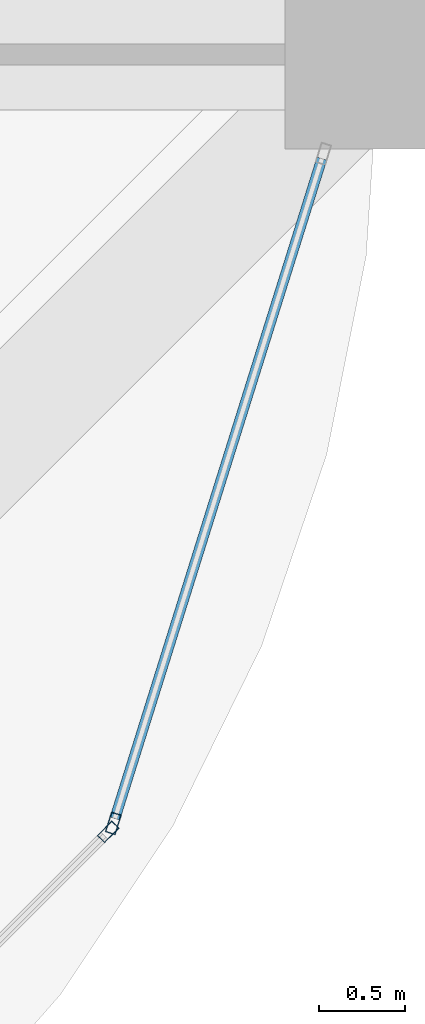
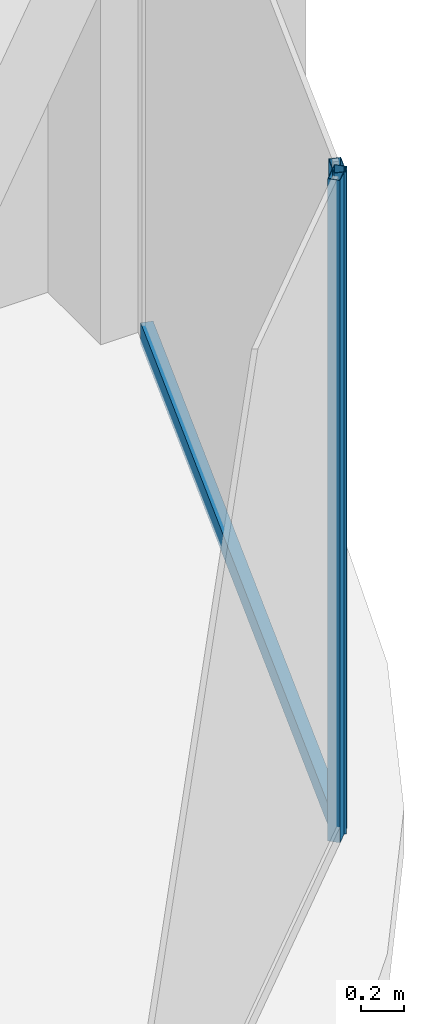
# One storey, part 20 of 44: 3 members, 2 elements without a shape of their own.
"""IFC4 building model written with IfcOpenShell, lengths in metres."""

from ifc_helpers import new_model, si_unit, direction, frame, origin, origin_2d, place, context, subcontext, project, spatial, hollow_rectangle, extrude, material, material_profile, profile_set, type_object, element, aggregate, save


model = new_model("IFC4")

# Units and contexts
model_context = context("Model", 3, precision=1e-05, world=origin(), true_north=direction((0.0, 1.0)))
body_context = subcontext(model_context, "Body", "Model", "MODEL_VIEW")
ifc_project = project(units=[si_unit("LENGTHUNIT", "METRE"), si_unit("AREAUNIT", "SQUARE_METRE"), si_unit("VOLUMEUNIT", "CUBIC_METRE"), si_unit("PLANEANGLEUNIT", "RADIAN"), si_unit("MASSUNIT", "GRAM", prefix="KILO")], contexts=[model_context])

# Site, building, storey
site_placement = place(None, origin())
site = spatial("IfcSite", under=ifc_project, at=site_placement, CompositionType="ELEMENT")
building_placement = place(site_placement, origin())
building = spatial("IfcBuilding", under=site, at=building_placement, Name="Zorevar Civic Tower", CompositionType="ELEMENT")
storey_placement = place(building_placement, frame((0.0, 0.0, 263.39990234375)))
storey = spatial("IfcBuildingStorey", under=building, at=storey_placement, Name="L64", CompositionType="ELEMENT", Elevation=263.39990234375)

# Curtain wall, member
ifc_material_1 = material(Name="Dark grey solar-control glass in black aluminium frame", Category="aluminium")
curtain_wall_type = type_object("IfcCurtainWallType", Name="Curtain wall CW5 top zone", PredefinedType="NOTDEFINED", material=ifc_material_1)
curtain_wall_1_placement = place(storey_placement, origin())
curtain_wall_1 = element("IfcCurtainWall", 1, at=curtain_wall_1_placement, inside=storey, type_object=curtain_wall_type, Name="CW5 L64", PredefinedType="NOTDEFINED")
ifc_material_2 = material(Name="Aluminium, black anodised", Category="aluminium")
ifc_material_profile_1 = material_profile(ifc_material_2, hollow_rectangle(XDim=0.06005859375, YDim=0.1201171875, WallThickness=0.0029296875, at=origin_2d()), Name="AL 120x60x3")
ifc_profile_set_1 = profile_set([ifc_material_profile_1], Name="Aluminium, black anodised")
member_type_1 = type_object("IfcMemberType", Name="CW5 mullion AL 120x60x3", PredefinedType="MULLION", material=ifc_profile_set_1)
member_1_placement = place(storey_placement, frame((52.419677734375, 4.470947265625, 0.0), z_axis=(0.0, 0.0, 1.0), x_axis=(-0.707106781187, 0.707106781187, 0.0)))
member_1 = element("IfcMember", 2, at=member_1_placement, type_object=member_type_1, Name="CW5 mullion 2", PredefinedType="MULLION", context=body_context, shape_type="SweptSolid", body=[
    extrude(hollow_rectangle(XDim=0.06005859375, YDim=0.1201171875, WallThickness=0.0029296875, at=origin_2d()), origin(), (0.0, 0.0, 1.0), 3.75),
])
aggregate(curtain_wall_1, [member_1])

# Curtain wall, members
curtain_wall_2_placement = place(storey_placement, origin())
curtain_wall_2 = element("IfcCurtainWall", 3, at=curtain_wall_2_placement, inside=storey, type_object=curtain_wall_type, Name="CW5 L64", PredefinedType="NOTDEFINED")
member_2_placement = place(storey_placement, frame((52.449951171875, 4.520751953125, 0.0), z_axis=(0.0, 0.0, 1.0), x_axis=(-0.954153437674, 0.299317920238, 0.0)))
member_2 = element("IfcMember", 4, at=member_2_placement, type_object=member_type_1, Name="CW5 mullion 1", PredefinedType="MULLION", context=body_context, shape_type="SweptSolid", body=[
    extrude(hollow_rectangle(XDim=0.06005859375, YDim=0.1201171875, WallThickness=0.0029296875, at=origin_2d()), origin(), (0.0, 0.0, 1.0), 3.75),
])
ifc_material_3 = material(Name="Aluminium, black anodised", Category="aluminium")
ifc_material_profile_2 = material_profile(ifc_material_3, hollow_rectangle(XDim=0.06005859375, YDim=0.1201171875, WallThickness=0.0029296875, at=origin_2d()), Name="AL 120x60x3")
ifc_profile_set_2 = profile_set([ifc_material_profile_2], Name="Aluminium, black anodised")
member_type_2 = type_object("IfcMemberType", Name="CW5 transom AL 120x60x3", PredefinedType="USERDEFINED", material=ifc_profile_set_2)
member_3_placement = place(storey_placement, frame((52.458984375, 4.54931640625, 0.030029296875), z_axis=(0.299285978047, 0.954163457351, 0.0), x_axis=(-0.954163457351, 0.299285978047, 0.0)))
member_3 = element("IfcMember", 5, at=member_3_placement, type_object=member_type_2, Name="CW5 sill transom", ObjectType="TRANSOM", PredefinedType="USERDEFINED", context=body_context, shape_type="SweptSolid", body=[
    extrude(hollow_rectangle(XDim=0.06005859375, YDim=0.1201171875, WallThickness=0.0029296875, at=origin_2d()), origin(), (0.0, 0.0, 1.0), 4.028076171875),
])
aggregate(curtain_wall_2, [member_2, member_3])

save(model, "model.ifc")
